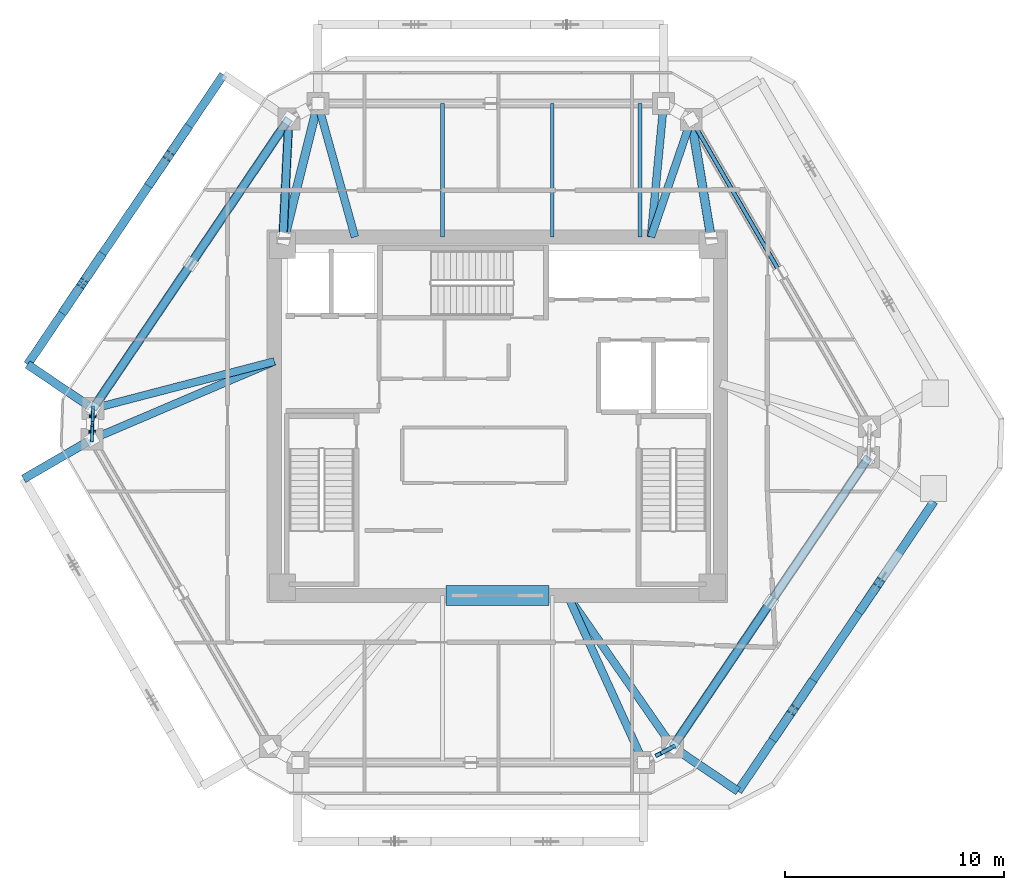
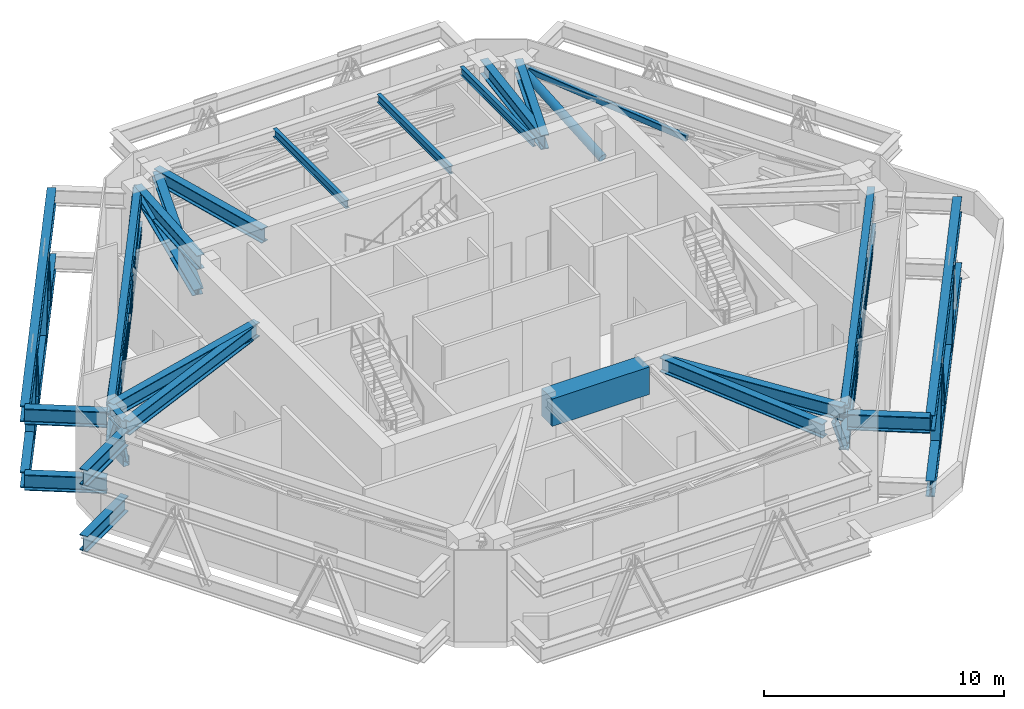
# One storey, part 2 of 10: 24 beams, 22 members.
"""IFC4 building model written with IfcOpenShell, lengths in metres."""

import ifcopenshell
import ifcopenshell.guid

model = None  # the IFC model being written
_history = None  # IfcOwnerHistory: only IFC2X3 demands one
_inside = {}  # id of a spatial element -> (the spatial element, [elements in it])
_under = {}  # id of a project, library or spatial element -> (it, [spatial elements below it])
_declared = {}  # id of a project -> (the project, [libraries it declares])
_typed = {}  # id of a type object -> (the type object, [elements of that type])
_made_of = {}  # id of a material, layer set ... -> (it, [elements and type objects made of it])


def new_model(schema):
    """Start an empty IFC model of exactly this schema.

    Asked for "IFC4X3", IfcOpenShell would pick the latest addendum, in which some entities
    have other attributes; the version numbers below select the first issue.
    IFC2X3 requires an IfcOwnerHistory on every rooted entity: one is made here for all.
    """
    global model, _history
    if schema == "IFC4X3":
        model = ifcopenshell.file(schema_version=(4, 3, 0, 0))
    else:
        model = ifcopenshell.file(schema=schema)
    _inside.clear()
    _under.clear()
    _declared.clear()
    _typed.clear()
    _made_of.clear()
    _history = None
    if model.schema == "IFC2X3":
        org = make("IfcOrganization", Name="unknown")
        user = make(
            "IfcPersonAndOrganization",
            ThePerson=make("IfcPerson", FamilyName="unknown"),
            TheOrganization=org,
        )
        app = make(
            "IfcApplication",
            ApplicationDeveloper=org,
            Version="unknown",
            ApplicationFullName="unknown",
            ApplicationIdentifier="unknown",
        )
        _history = make(
            "IfcOwnerHistory",
            OwningUser=user,
            OwningApplication=app,
            ChangeAction="ADDED",
            CreationDate=0,
        )
    return model


def make(cls, **values):
    """One entity of the class cls with the attributes given. An attribute that is None is left unset."""
    return model.create_entity(
        cls, **{name: value for name, value in values.items() if value is not None}
    )


def rooted(cls, **values):
    """An entity with a GlobalId (a new one), such as an element, a storey or a relation."""
    return make(cls, GlobalId=ifcopenshell.guid.new(), OwnerHistory=_history, **values)


def si_unit(unit_type, name, prefix=None):
    """IfcSIUnit, for example si_unit("LENGTHUNIT", "METRE", prefix="MILLI")."""
    return make("IfcSIUnit", UnitType=unit_type, Prefix=prefix, Name=name)


def assignment(units):
    """IfcUnitAssignment: the units of a project."""
    return None if units is None else make("IfcUnitAssignment", Units=units)


def point(xyz):
    """IfcCartesianPoint."""
    return None if xyz is None else make("IfcCartesianPoint", Coordinates=xyz)


def direction(xyz):
    """IfcDirection."""
    return None if xyz is None else make("IfcDirection", DirectionRatios=xyz)


def frame(location, z_axis=None, x_axis=None):
    """IfcAxis2Placement3D, a coordinate frame: its origin and axes. An axis left out is left unset."""
    return make(
        "IfcAxis2Placement3D",
        Location=point(location),
        Axis=direction(z_axis),
        RefDirection=direction(x_axis),
    )


def frame_2d(location, x_axis=None):
    """IfcAxis2Placement2D, a coordinate frame in the plane: its origin and x axis."""
    return make(
        "IfcAxis2Placement2D", Location=point(location), RefDirection=direction(x_axis)
    )


def origin():
    """The frame at (0, 0, 0) with its axes left unset."""
    return frame((0.0, 0.0, 0.0))


def origin_2d():
    """The frame at (0, 0) in the plane with its x axis left unset."""
    return frame_2d((0.0, 0.0))


def place(relative_to, where):
    """IfcLocalPlacement: puts the frame where relative to a parent placement (None: the world)."""
    return make(
        "IfcLocalPlacement", PlacementRelTo=relative_to, RelativePlacement=where
    )


def context(
    kind, dimensions, precision=None, world=None, true_north=None, identifier=None
):
    """IfcGeometricRepresentationContext, for example the 3D "Model" context."""
    return make(
        "IfcGeometricRepresentationContext",
        ContextIdentifier=identifier,
        ContextType=kind,
        CoordinateSpaceDimension=dimensions,
        Precision=precision,
        WorldCoordinateSystem=world,
        TrueNorth=true_north,
    )


def subcontext(parent, identifier, kind, view, scale=None):
    """IfcGeometricRepresentationSubContext, for example "Body" below "Model"."""
    return make(
        "IfcGeometricRepresentationSubContext",
        ContextIdentifier=identifier,
        ContextType=kind,
        ParentContext=parent,
        TargetScale=scale,
        TargetView=view,
    )


def project(units=None, contexts=None):
    """IfcProject with its units and contexts."""
    return rooted(
        "IfcProject",
        Name="project",
        RepresentationContexts=contexts,
        UnitsInContext=assignment(units),
    )


def spatial(cls, under=None, at=None, **own):
    """A site, building, storey or space (cls), placed at a placement, below another one or the project."""
    s = rooted(cls, ObjectPlacement=at, **own)
    if under is not None:
        _under.setdefault(under.id(), (under, []))[1].append(s)
    return s


def profile(cls, at=None, kind="AREA", **sizes):
    """A parametric profile (cls). Its sizes go by their IFC names, for example OverallWidth=200.0."""
    return make(cls, ProfileType=kind, Position=at, **sizes)


def rectangle(**sizes):
    """IfcRectangleProfileDef."""
    return profile("IfcRectangleProfileDef", **sizes)


def hollow_rectangle(**sizes):
    """IfcRectangleHollowProfileDef."""
    return profile("IfcRectangleHollowProfileDef", **sizes)


def hollow_circle(**sizes):
    """IfcCircleHollowProfileDef."""
    return profile("IfcCircleHollowProfileDef", **sizes)


def i_section(**sizes):
    """IfcIShapeProfileDef."""
    return profile("IfcIShapeProfileDef", **sizes)


def extrude(swept, where, along, depth):
    """IfcExtrudedAreaSolid: the profile swept, set in the frame where, extruded along a direction by depth."""
    return make(
        "IfcExtrudedAreaSolid",
        SweptArea=swept,
        Position=where,
        ExtrudedDirection=direction(along),
        Depth=depth,
    )


def shape(context_of_items, identifier, shape_type, items):
    """IfcShapeRepresentation: the items that make up one representation, for example the "Body"."""
    return make(
        "IfcShapeRepresentation",
        ContextOfItems=context_of_items,
        RepresentationIdentifier=identifier,
        RepresentationType=shape_type,
        Items=items,
    )


def source(mapping_origin, context_of_items, identifier, shape_type, items):
    """IfcRepresentationMap: a shape defined once, which mapped items show again and again."""
    return make(
        "IfcRepresentationMap",
        MappingOrigin=mapping_origin,
        MappedRepresentation=shape(context_of_items, identifier, shape_type, items),
    )


def transform(
    local_origin,
    x_axis=None,
    y_axis=None,
    z_axis=None,
    scale=None,
    scale2=None,
    scale3=None,
    uniform=True,
):
    """IfcCartesianTransformationOperator3D, or its non-uniform kind. x_axis, y_axis, z_axis: its Axis1, 2, 3."""
    if uniform:
        return make(
            "IfcCartesianTransformationOperator3D",
            Axis1=direction(x_axis),
            Axis2=direction(y_axis),
            LocalOrigin=point(local_origin),
            Scale=scale,
            Axis3=direction(z_axis),
        )
    return make(
        "IfcCartesianTransformationOperator3DnonUniform",
        Axis1=direction(x_axis),
        Axis2=direction(y_axis),
        LocalOrigin=point(local_origin),
        Scale=scale,
        Axis3=direction(z_axis),
        Scale2=scale2,
        Scale3=scale3,
    )


def mapped(mapping_source, mapping_target):
    """IfcMappedItem: shows the shape of a source again, moved by a transform."""
    return make(
        "IfcMappedItem", MappingSource=mapping_source, MappingTarget=mapping_target
    )


def material(Name=None, Category=None):
    """IfcMaterial."""
    return make("IfcMaterial", Name=Name, Category=Category)


def material_profile(
    of_material, cross_section, Name=None, Category=None, Priority=None
):
    """IfcMaterialProfile: a cross section and its material."""
    return make(
        "IfcMaterialProfile",
        Name=Name,
        Material=of_material,
        Profile=cross_section,
        Priority=Priority,
        Category=Category,
    )


def profile_set(profiles, Name=None, composite=None):
    """IfcMaterialProfileSet."""
    return make(
        "IfcMaterialProfileSet",
        Name=Name,
        MaterialProfiles=profiles,
        CompositeProfile=composite,
    )


def made_of(thing, what):
    """Note that an element or type object is made of a material, layer set ...; save() writes the relation."""
    if what is not None:
        _made_of.setdefault(what.id(), (what, []))[1].append(thing)
    return thing


def type_object(cls, material=None, **own):
    """A type object (cls), such as IfcWallType, which elements share."""
    return made_of(rooted(cls, **own), material)


def type_shapes(of_type, sources):
    """Give a type object the sources (RepresentationMaps) that its elements show as mapped items."""
    of_type.RepresentationMaps = sources


def element(
    cls,
    number,
    at=None,
    inside=None,
    cuts=None,
    type_object=None,
    material=None,
    context=None,
    identifier="Body",
    shape_type=None,
    held_by="IfcProductDefinitionShape",
    body=None,
    shapes=None,
    **own,
):
    """One element of the class cls, such as IfcWall. Its Tag is "e" and its number.

    at: its placement. inside: the storey or other place that contains it. cuts: it is an
    opening in that element (IfcRelVoidsElement). A single representation is given by context,
    identifier, shape_type and body (its items); several are given by shapes. held_by: the class
    of the entity that holds the representations. save() writes the other relations.
    """
    e = rooted(cls, Tag="e%d" % number, ObjectPlacement=at, **own)
    if body is not None:
        shapes = [shape(context, identifier, shape_type, body)]
    if shapes is not None:
        e.Representation = make(held_by, Representations=shapes)
    if inside is not None:
        _inside.setdefault(inside.id(), (inside, []))[1].append(e)
    if cuts is not None:
        rooted(
            "IfcRelVoidsElement", RelatingBuildingElement=cuts, RelatedOpeningElement=e
        )
    if type_object is not None:
        _typed.setdefault(type_object.id(), (type_object, []))[1].append(e)
    return made_of(e, material)


def aggregate(whole, parts):
    """IfcRelAggregates: a whole, such as a stair, and the parts it consists of."""
    return rooted("IfcRelAggregates", RelatingObject=whole, RelatedObjects=parts)


def save(model, path):
    """Write the relations noted so far, then the file.

    IfcRelAggregates (storeys below a building ...), IfcRelContainedInSpatialStructure (elements
    in a storey), IfcRelDefinesByType, IfcRelAssociatesMaterial and IfcRelDeclares: one each for
    every whole, place, type object, material and project.
    """
    for whole, parts in _under.values():
        aggregate(whole, parts)
    for where, things in _inside.values():
        rooted(
            "IfcRelContainedInSpatialStructure",
            RelatedElements=things,
            RelatingStructure=where,
        )
    for kind, things in _typed.values():
        rooted("IfcRelDefinesByType", RelatedObjects=things, RelatingType=kind)
    for what, things in _made_of.values():
        rooted("IfcRelAssociatesMaterial", RelatedObjects=things, RelatingMaterial=what)
    for by, libraries in _declared.values():
        rooted("IfcRelDeclares", RelatingContext=by, RelatedDefinitions=libraries)
    model.write(path)


model = new_model("IFC4")

# Units and contexts
model_context = context("Model", 3, precision=1e-05, world=origin(), true_north=direction((0.0, 1.0)))
body_context = subcontext(model_context, "Body", "Model", "MODEL_VIEW")
ifc_project = project(units=[si_unit("LENGTHUNIT", "METRE"), si_unit("AREAUNIT", "SQUARE_METRE"), si_unit("VOLUMEUNIT", "CUBIC_METRE"), si_unit("PLANEANGLEUNIT", "RADIAN"), si_unit("MASSUNIT", "GRAM", prefix="KILO")], contexts=[model_context])

# Site, building, storey
site_placement = place(None, origin())
site = spatial("IfcSite", under=ifc_project, at=site_placement, CompositionType="ELEMENT")
building_placement = place(site_placement, origin())
building = spatial("IfcBuilding", under=site, at=building_placement, Name="Durnholm Broadcast Tower", CompositionType="ELEMENT")
storey_placement = place(building_placement, frame((0.0, 0.0, 213.39990234375)))
storey = spatial("IfcBuildingStorey", under=building, at=storey_placement, Name="L59", CompositionType="ELEMENT", Elevation=213.39990234375)

# Beams
ifc_material_1 = material(Name="Concrete C70/85", Category="concrete")
ifc_material_profile_1 = material_profile(ifc_material_1, rectangle(XDim=0.89990234375, YDim=1.39990234375, at=origin_2d()), Name="RC900X1400")
ifc_profile_set_1 = profile_set([ifc_material_profile_1], Name="Concrete C70/85")
beam_type_1 = type_object("IfcBeamType", Name="BM-CB-RC1400", PredefinedType="LINTEL", material=ifc_profile_set_1)
shared_shape_1 = source(origin(), body_context, "Body", "SweptSolid", [
    extrude(rectangle(XDim=0.89990234375, YDim=1.39990234375, at=origin_2d()), origin(), (0.0, 0.0, 1.0), 4.7001953125),
])
type_shapes(beam_type_1, [shared_shape_1])
beam_1_placement = place(storey_placement, frame((-2.35009765625, -8.175048828125, 3.955078125), z_axis=(1.0, 0.0, 0.0), x_axis=(0.0, 1.0, 0.0)))
element("IfcBeam", 1, at=beam_1_placement, inside=storey, type_object=beam_type_1, Name="L59 south core coupling lintel beam CB-S", PredefinedType="LINTEL", context=body_context, shape_type="MappedRepresentation", body=[
    mapped(shared_shape_1, transform((0.0, 0.0, 0.0), x_axis=(1.0, 0.0, 0.0), y_axis=(0.0, 1.0, 0.0), z_axis=(0.0, 0.0, 1.0), scale=1.0)),
])
ifc_material_2 = material(Name="Steel ASTM A992 Grade 50", Category="steel")
ifc_material_profile_2 = material_profile(ifc_material_2, i_section(OverallWidth=0.385009765625, OverallDepth=0.802978515625, WebThickness=0.023681640625, FlangeThickness=0.0419921875, FilletRadius=0.032958984375, at=origin_2d()), Name="W30X261")
ifc_profile_set_2 = profile_set([ifc_material_profile_2], Name="Steel ASTM A992 Grade 50")
beam_type_2 = type_object("IfcBeamType", Name="BM-EXO-TIE", PredefinedType="USERDEFINED", material=ifc_profile_set_2)
shared_shape_2 = source(origin(), body_context, "Body", "SweptSolid", [
    extrude(i_section(OverallWidth=0.385009765625, OverallDepth=0.802978515625, WebThickness=0.023681640625, FlangeThickness=0.0419921875, FilletRadius=0.032958984375, at=origin_2d()), origin(), (0.0, 0.0, 1.0), 3.4560546875),
])
for number, where, z_axis, x_axis, name in (
    (2, (8.110107421875, -15.161865234375, 3.90869140625), (0.828468499792, -0.560035663911, 0.0), (0.560035663911, 0.828468499792, 0.0), "L59 exoskeleton stand-off tie bracket F2.1"),
    (3, (-18.565673828125, 0.426513671875, 0.550048828125), (-0.828413564093, 0.56011692246, 0.0), (-0.56011692246, -0.828413564093, 0.0), "L59 zone-base exoskeleton stand-off tie bracket F5.2"),
    (4, (-18.565673828125, 0.426513671875, 3.90869140625), (-0.828413564093, 0.56011692246, 0.0), (-0.56011692246, -0.828413564093, 0.0), "L59 exoskeleton stand-off tie bracket F5.2"),
    (5, (-18.618896484375, -1.1201171875, 0.550048828125), (-0.864876013532, -0.501985538852, 0.0), (0.501985538852, -0.864876013532, 0.0), "L59 zone-base exoskeleton stand-off tie bracket F6.1"),
    (6, (-18.618896484375, -1.1201171875, 3.90869140625), (-0.864876013532, -0.501985538852, 0.0), (0.501985538852, -0.864876013532, 0.0), "L59 exoskeleton stand-off tie bracket F6.1"),
):
    element("IfcBeam", number, at=place(storey_placement, frame(where, z_axis=z_axis, x_axis=x_axis)), inside=storey, type_object=beam_type_2, Name=name, ObjectType="GIRDER", PredefinedType="USERDEFINED", context=body_context, shape_type="MappedRepresentation", body=[
        mapped(shared_shape_2, transform((0.0, 0.0, 0.0), x_axis=(1.0, 0.0, 0.0), y_axis=(0.0, 1.0, 0.0), z_axis=(0.0, 0.0, 1.0), scale=1.0)),
    ])
ifc_material_profile_3 = material_profile(ifc_material_2, i_section(OverallWidth=0.3251953125, OverallDepth=0.6162109375, WebThickness=0.013916015625, FlangeThickness=0.021484375, FilletRadius=0.02783203125, at=origin_2d()), Name="W24X117")
ifc_profile_set_3 = profile_set([ifc_material_profile_3], Name="Steel ASTM A992 Grade 50")
beam_type_3 = type_object("IfcBeamType", Name="STL-SP-W24X117", PredefinedType="SPANDREL", material=ifc_profile_set_3)
shared_shape_3 = source(origin(), body_context, "Body", "SweptSolid", [
    extrude(i_section(OverallWidth=0.3251953125, OverallDepth=0.6162109375, WebThickness=0.013916015625, FlangeThickness=0.021484375, FilletRadius=0.02783203125, at=origin_2d()), origin(), (0.0, 0.0, 1.0), 1.39453125),
])
beam_2_placement = place(storey_placement, frame((-18.494384765625, -1.0478515625, 4.3369140625), z_axis=(0.034486393061, 0.999405167434, 0.0), x_axis=(-0.999405167434, 0.034486393061, 0.0)))
element("IfcBeam", 7, at=beam_2_placement, inside=storey, type_object=beam_type_3, Name="L59 perimeter spandrel girder 02", PredefinedType="SPANDREL", context=body_context, shape_type="MappedRepresentation", body=[
    mapped(shared_shape_3, transform((0.0, 0.0, 0.0), x_axis=(1.0, 0.0, 0.0), y_axis=(0.0, 1.0, 0.0), z_axis=(0.0, 0.0, 1.0), scale=1.0)),
])
shared_shape_4 = source(origin(), body_context, "Body", "SweptSolid", [
    extrude(i_section(OverallWidth=0.3251953125, OverallDepth=0.6162109375, WebThickness=0.013916015625, FlangeThickness=0.021484375, FilletRadius=0.02783203125, at=origin_2d()), origin(), (0.0, 0.0, 1.0), 15.947265625),
])
type_shapes(beam_type_3, [shared_shape_3, shared_shape_4])
for number, where, z_axis, x_axis, name in (
    (8, (-18.4462890625, 0.345947265625, 4.3369140625), (0.560062212489, 0.828450552623, 0.0), (-0.828450552623, 0.560062212489, 0.0), "L59 perimeter spandrel girder 03"),
    (9, (16.92236328125, -1.869873046875, 4.3369140625), (-0.560062212489, -0.828450552623, 0.0), (0.828450552623, -0.560062212489, 0.0), "L59 perimeter spandrel girder 09"),
):
    element("IfcBeam", number, at=place(storey_placement, frame(where, z_axis=z_axis, x_axis=x_axis)), inside=storey, type_object=beam_type_3, Name=name, PredefinedType="SPANDREL", context=body_context, shape_type="MappedRepresentation", body=[
        mapped(shared_shape_4, transform((0.0, 0.0, 0.0), x_axis=(1.0, 0.0, 0.0), y_axis=(0.0, 1.0, 0.0), z_axis=(0.0, 0.0, 1.0), scale=1.0)),
    ])
ifc_material_profile_4 = material_profile(ifc_material_2, i_section(OverallWidth=0.3564453125, OverallDepth=0.713623046875, WebThickness=0.01904296875, FlangeThickness=0.033935546875, FilletRadius=0.030517578125, at=origin_2d()), Name="W27X194")
ifc_profile_set_4 = profile_set([ifc_material_profile_4], Name="Steel ASTM A992 Grade 50")
beam_type_4 = type_object("IfcBeamType", Name="STL-GR-W27X194", PredefinedType="USERDEFINED", material=ifc_profile_set_4)
shared_shape_5 = source(origin(), body_context, "Body", "SweptSolid", [
    extrude(i_section(OverallWidth=0.3564453125, OverallDepth=0.713623046875, WebThickness=0.01904296875, FlangeThickness=0.033935546875, FilletRadius=0.030517578125, at=origin_2d()), origin(), (0.0, 0.0, 1.0), 9.044189453125),
])
beam_3_placement = place(storey_placement, frame((-10.175048828125, 2.5, 4.288330078125), z_axis=(-0.919847268829, -0.392276690651, 0.0), x_axis=(0.392276690651, -0.919847268829, 0.0)))
element("IfcBeam", 10, at=beam_3_placement, inside=storey, type_object=beam_type_4, Name="L59 radial primary floor girder 02", ObjectType="GIRDER", PredefinedType="USERDEFINED", context=body_context, shape_type="MappedRepresentation", body=[
    mapped(shared_shape_5, transform((0.0, 0.0, 0.0), x_axis=(1.0, 0.0, 0.0), y_axis=(0.0, 1.0, 0.0), z_axis=(0.0, 0.0, 1.0), scale=1.0)),
])
shared_shape_6 = source(origin(), body_context, "Body", "SweptSolid", [
    extrude(i_section(OverallWidth=0.3564453125, OverallDepth=0.713623046875, WebThickness=0.01904296875, FlangeThickness=0.033935546875, FilletRadius=0.030517578125, at=origin_2d()), origin(), (0.0, 0.0, 1.0), 8.547119140625),
])
beam_4_placement = place(storey_placement, frame((-10.175048828125, 2.5, 4.288330078125), z_axis=(-0.967721839871, -0.252020714696, 0.0), x_axis=(0.252020714696, -0.967721839871, 0.0)))
element("IfcBeam", 11, at=beam_4_placement, inside=storey, type_object=beam_type_4, Name="L59 radial primary floor girder 03", ObjectType="GIRDER", PredefinedType="USERDEFINED", context=body_context, shape_type="MappedRepresentation", body=[
    mapped(shared_shape_6, transform((0.0, 0.0, 0.0), x_axis=(1.0, 0.0, 0.0), y_axis=(0.0, 1.0, 0.0), z_axis=(0.0, 0.0, 1.0), scale=1.0)),
])
shared_shape_7 = source(origin(), body_context, "Body", "SweptSolid", [
    extrude(i_section(OverallWidth=0.3564453125, OverallDepth=0.713623046875, WebThickness=0.01904296875, FlangeThickness=0.033935546875, FilletRadius=0.030517578125, at=origin_2d()), origin(), (0.0, 0.0, 1.0), 5.764404296875),
])
beam_5_placement = place(storey_placement, frame((-9.800048828125, 7.800048828125, 4.288330078125), z_axis=(0.049468662109, 0.99877567625, 0.0), x_axis=(-0.99877567625, 0.049468662109, 0.0)))
element("IfcBeam", 12, at=beam_5_placement, inside=storey, type_object=beam_type_4, Name="L59 radial primary floor girder 04", ObjectType="GIRDER", PredefinedType="USERDEFINED", context=body_context, shape_type="MappedRepresentation", body=[
    mapped(shared_shape_7, transform((0.0, 0.0, 0.0), x_axis=(1.0, 0.0, 0.0), y_axis=(0.0, 1.0, 0.0), z_axis=(0.0, 0.0, 1.0), scale=1.0)),
])
shared_shape_8 = source(origin(), body_context, "Body", "SweptSolid", [
    extrude(i_section(OverallWidth=0.3564453125, OverallDepth=0.713623046875, WebThickness=0.01904296875, FlangeThickness=0.033935546875, FilletRadius=0.030517578125, at=origin_2d()), origin(), (0.0, 0.0, 1.0), 6.316650390625),
])
beam_6_placement = place(storey_placement, frame((-6.5, 8.175048828125, 4.288330078125), z_axis=(-0.267193314039, 0.963642948883, 0.0), x_axis=(-0.963642948883, -0.267193314039, 0.0)))
element("IfcBeam", 13, at=beam_6_placement, inside=storey, type_object=beam_type_4, Name="L59 radial primary floor girder 05", ObjectType="GIRDER", PredefinedType="USERDEFINED", context=body_context, shape_type="MappedRepresentation", body=[
    mapped(shared_shape_8, transform((0.0, 0.0, 0.0), x_axis=(1.0, 0.0, 0.0), y_axis=(0.0, 1.0, 0.0), z_axis=(0.0, 0.0, 1.0), scale=1.0)),
])
shared_shape_9 = source(origin(), body_context, "Body", "SweptSolid", [
    extrude(i_section(OverallWidth=0.3564453125, OverallDepth=0.713623046875, WebThickness=0.01904296875, FlangeThickness=0.033935546875, FilletRadius=0.030517578125, at=origin_2d()), origin(), (0.0, 0.0, 1.0), 6.114501953125),
])
beam_7_placement = place(storey_placement, frame((7.0, 8.175048828125, 4.288330078125), z_axis=(0.09479024995, 0.995497266955, 0.0), x_axis=(-0.995497266955, 0.09479024995, 0.0)))
element("IfcBeam", 14, at=beam_7_placement, inside=storey, type_object=beam_type_4, Name="L59 radial primary floor girder 06", ObjectType="GIRDER", PredefinedType="USERDEFINED", context=body_context, shape_type="MappedRepresentation", body=[
    mapped(shared_shape_9, transform((0.0, 0.0, 0.0), x_axis=(1.0, 0.0, 0.0), y_axis=(0.0, 1.0, 0.0), z_axis=(0.0, 0.0, 1.0), scale=1.0)),
])
shared_shape_10 = source(origin(), body_context, "Body", "SweptSolid", [
    extrude(i_section(OverallWidth=0.3564453125, OverallDepth=0.713623046875, WebThickness=0.01904296875, FlangeThickness=0.033935546875, FilletRadius=0.030517578125, at=origin_2d()), origin(), (0.0, 0.0, 1.0), 5.668701171875),
])
beam_8_placement = place(storey_placement, frame((7.0, 8.175048828125, 4.288330078125), z_axis=(0.324137129939, 0.94601010618, 0.0), x_axis=(-0.94601010618, 0.324137129939, 0.0)))
element("IfcBeam", 15, at=beam_8_placement, inside=storey, type_object=beam_type_4, Name="L59 radial primary floor girder 07", ObjectType="GIRDER", PredefinedType="USERDEFINED", context=body_context, shape_type="MappedRepresentation", body=[
    mapped(shared_shape_10, transform((0.0, 0.0, 0.0), x_axis=(1.0, 0.0, 0.0), y_axis=(0.0, 1.0, 0.0), z_axis=(0.0, 0.0, 1.0), scale=1.0)),
])
shared_shape_11 = source(origin(), body_context, "Body", "SweptSolid", [
    extrude(i_section(OverallWidth=0.3564453125, OverallDepth=0.713623046875, WebThickness=0.01904296875, FlangeThickness=0.033935546875, FilletRadius=0.030517578125, at=origin_2d()), origin(), (0.0, 0.0, 1.0), 8.4052734375),
])
beam_9_placement = place(storey_placement, frame((3.199951171875, -8.175048828125, 4.288330078125), z_axis=(0.569995118026, -0.821648078818, 0.0), x_axis=(0.821648078818, 0.569995118026, 0.0)))
element("IfcBeam", 16, at=beam_9_placement, inside=storey, type_object=beam_type_4, Name="L59 radial primary floor girder 10", ObjectType="GIRDER", PredefinedType="USERDEFINED", context=body_context, shape_type="MappedRepresentation", body=[
    mapped(shared_shape_11, transform((0.0, 0.0, 0.0), x_axis=(1.0, 0.0, 0.0), y_axis=(0.0, 1.0, 0.0), z_axis=(0.0, 0.0, 1.0), scale=1.0)),
])
shared_shape_12 = source(origin(), body_context, "Body", "SweptSolid", [
    extrude(i_section(OverallWidth=0.3564453125, OverallDepth=0.713623046875, WebThickness=0.01904296875, FlangeThickness=0.033935546875, FilletRadius=0.030517578125, at=origin_2d()), origin(), (0.0, 0.0, 1.0), 8.362060546875),
])
type_shapes(beam_type_4, [shared_shape_5, shared_shape_6, shared_shape_7, shared_shape_8, shared_shape_9, shared_shape_10, shared_shape_11, shared_shape_12])
beam_10_placement = place(storey_placement, frame((3.199951171875, -8.175048828125, 4.288330078125), z_axis=(0.414238443154, -0.910168397723, 0.0), x_axis=(0.910168397723, 0.414238443154, 0.0)))
element("IfcBeam", 17, at=beam_10_placement, inside=storey, type_object=beam_type_4, Name="L59 radial primary floor girder 11", ObjectType="GIRDER", PredefinedType="USERDEFINED", context=body_context, shape_type="MappedRepresentation", body=[
    mapped(shared_shape_12, transform((0.0, 0.0, 0.0), x_axis=(1.0, 0.0, 0.0), y_axis=(0.0, 1.0, 0.0), z_axis=(0.0, 0.0, 1.0), scale=1.0)),
])
ifc_material_profile_5 = material_profile(ifc_material_2, i_section(OverallWidth=0.177734375, OverallDepth=0.40673828125, WebThickness=0.0078125, FlangeThickness=0.0126953125, FilletRadius=0.01904296875, at=origin_2d()), Name="W16X40")
ifc_profile_set_5 = profile_set([ifc_material_profile_5], Name="Steel ASTM A992 Grade 50")
beam_type_5 = type_object("IfcBeamType", Name="STL-BJ-W16X40", PredefinedType="JOIST", material=ifc_profile_set_5)
shared_shape_13 = source(origin(), body_context, "Body", "SweptSolid", [
    extrude(i_section(OverallWidth=0.177734375, OverallDepth=0.40673828125, WebThickness=0.0078125, FlangeThickness=0.0126953125, FilletRadius=0.01904296875, at=origin_2d()), origin(), (0.0, 0.0, 1.0), 6.0869140625),
])
type_shapes(beam_type_5, [shared_shape_13])
for number, where, z_axis, x_axis, name in (
    (18, (-2.5, 8.175048828125, 4.44189453125), (0.0, 1.0, 0.0), (-1.0, 0.0, 0.0), "L59 secondary floor joist 5.2"),
    (19, (2.5, 8.175048828125, 4.44189453125), (0.0, 1.0, 0.0), (-1.0, 0.0, 0.0), "L59 secondary floor joist 6.2"),
    (20, (6.5, 8.175048828125, 4.44189453125), (0.0, 1.0, 0.0), (-1.0, 0.0, 0.0), "L59 secondary floor joist 7.2"),
):
    element("IfcBeam", number, at=place(storey_placement, frame(where, z_axis=z_axis, x_axis=x_axis)), inside=storey, type_object=beam_type_5, Name=name, PredefinedType="JOIST", context=body_context, shape_type="MappedRepresentation", body=[
        mapped(shared_shape_13, transform((0.0, 0.0, 0.0), x_axis=(1.0, 0.0, 0.0), y_axis=(0.0, 1.0, 0.0), z_axis=(0.0, 0.0, 1.0), scale=1.0)),
    ])

# Members
ifc_material_3 = material(Name="Steel ASTM A500 Grade C", Category="steel")
ifc_material_profile_6 = material_profile(ifc_material_3, hollow_rectangle(XDim=0.3046875, YDim=0.508056640625, WallThickness=0.014892578125, InnerFilletRadius=0.022216796875, OuterFilletRadius=0.037109375, at=origin_2d()), Name="HSS20X12X5/8")
ifc_profile_set_6 = profile_set([ifc_material_profile_6], Name="Steel ASTM A500 Grade C")
member_type_1 = type_object("IfcMemberType", Name="STL-TC-HSS20X12", PredefinedType="CHORD", material=ifc_profile_set_6)
shared_shape_14 = source(origin(), body_context, "Body", "SweptSolid", [
    extrude(hollow_rectangle(XDim=0.3046875, YDim=0.508056640625, WallThickness=0.014892578125, InnerFilletRadius=0.022216796875, OuterFilletRadius=0.037109375, at=origin_2d()), origin(), (0.0, 0.0, 1.0), 1.39453125),
])
type_shapes(member_type_1, [shared_shape_14])
member_1_placement = place(storey_placement, frame((-18.494384765625, -1.0478515625, 2.550048828125), z_axis=(0.034486393061, 0.999405167434, 0.0), x_axis=(-0.999405167434, 0.034486393061, 0.0)))
element("IfcMember", 21, at=member_1_placement, inside=storey, type_object=member_type_1, Name="L59 perimeter belt-truss bottom chord 02", PredefinedType="CHORD", context=body_context, shape_type="MappedRepresentation", body=[
    mapped(shared_shape_14, transform((0.0, 0.0, 0.0), x_axis=(1.0, 0.0, 0.0), y_axis=(0.0, 1.0, 0.0), z_axis=(0.0, 0.0, 1.0), scale=1.0)),
])
ifc_material_profile_7 = material_profile(ifc_material_3, hollow_rectangle(XDim=0.15234375, YDim=0.25390625, WallThickness=0.0087890625, InnerFilletRadius=0.013427734375, OuterFilletRadius=0.022216796875, at=origin_2d()), Name="HSS10X6X3/8")
ifc_profile_set_7 = profile_set([ifc_material_profile_7], Name="Steel ASTM A500 Grade C")
member_type_2 = type_object("IfcMemberType", Name="STL-TB-HSS10X6", PredefinedType="BRACE", material=ifc_profile_set_7)
shared_shape_15 = source(origin(), body_context, "Body", "SweptSolid", [
    extrude(hollow_rectangle(XDim=0.15234375, YDim=0.25390625, WallThickness=0.0087890625, InnerFilletRadius=0.013427734375, OuterFilletRadius=0.022216796875, at=origin_2d()), origin(), (0.0, 0.0, 1.0), 1.89306640625),
])
type_shapes(member_type_2, [shared_shape_15])
for number, where, z_axis, x_axis, name in (
    (22, (-18.494384765625, -1.0478515625, 2.550048828125), (0.012767573876, 0.368067230721, 0.929711515862), (-0.999398908284, 0.034667306209, 0.0), "L59 belt-truss chevron brace 02.1"),
    (23, (-18.4462890625, 0.345947265625, 2.550048828125), (-0.012638029194, -0.3681793199, 0.929668902683), (0.999411391737, -0.034305539891, 0.0), "L59 belt-truss chevron brace 02.2"),
):
    element("IfcMember", number, at=place(storey_placement, frame(where, z_axis=z_axis, x_axis=x_axis)), inside=storey, type_object=member_type_2, Name=name, PredefinedType="BRACE", context=body_context, shape_type="MappedRepresentation", body=[
        mapped(shared_shape_15, transform((0.0, 0.0, 0.0), x_axis=(1.0, 0.0, 0.0), y_axis=(0.0, 1.0, 0.0), z_axis=(0.0, 0.0, 1.0), scale=1.0)),
    ])
ifc_material_profile_8 = material_profile(ifc_material_2, i_section(OverallWidth=0.4013671875, OverallDepth=0.3994140625, WebThickness=0.02490234375, FlangeThickness=0.03955078125, FilletRadius=0.030517578125, at=origin_2d()), Name="W14X211")
ifc_profile_set_8 = profile_set([ifc_material_profile_8], Name="Steel ASTM A992 Grade 50")
member_type_3 = type_object("IfcMemberType", Name="STL-TC-W14X211", PredefinedType="CHORD", material=ifc_profile_set_8)
shared_shape_16 = source(origin(), body_context, "Body", "SweptSolid", [
    extrude(i_section(OverallWidth=0.4013671875, OverallDepth=0.3994140625, WebThickness=0.02490234375, FlangeThickness=0.03955078125, FilletRadius=0.030517578125, at=origin_2d()), origin(), (0.0, 0.0, 1.0), 15.947265625),
])
type_shapes(member_type_3, [shared_shape_16])
for number, where, z_axis, x_axis, name in (
    (24, (-18.4462890625, 0.345947265625, 2.550048828125), (0.560062212489, 0.828450552623, 0.0), (-0.828450552623, 0.560062212489, 0.0), "L59 perimeter belt-truss bottom chord 03"),
    (25, (16.92236328125, -1.869873046875, 2.550048828125), (-0.560062212489, -0.828450552623, 0.0), (0.828450552623, -0.560062212489, 0.0), "L59 perimeter belt-truss bottom chord 09"),
):
    element("IfcMember", number, at=place(storey_placement, frame(where, z_axis=z_axis, x_axis=x_axis)), inside=storey, type_object=member_type_3, Name=name, PredefinedType="CHORD", context=body_context, shape_type="MappedRepresentation", body=[
        mapped(shared_shape_16, transform((0.0, 0.0, 0.0), x_axis=(1.0, 0.0, 0.0), y_axis=(0.0, 1.0, 0.0), z_axis=(0.0, 0.0, 1.0), scale=1.0)),
    ])
ifc_material_4 = material(Name="Steel ASTM A913 Grade 65", Category="steel")
ifc_material_profile_9 = material_profile(ifc_material_4, i_section(OverallWidth=0.412109375, OverallDepth=0.434814453125, WebThickness=0.035888671875, FlangeThickness=0.057373046875, FilletRadius=0.030517578125, at=origin_2d()), Name="W14X311")
ifc_profile_set_9 = profile_set([ifc_material_profile_9], Name="Steel ASTM A913 Grade 65")
member_type_4 = type_object("IfcMemberType", Name="STL-DG-W14X311", PredefinedType="BRACE", material=ifc_profile_set_9)
shared_shape_17 = source(origin(), body_context, "Body", "SweptSolid", [
    extrude(i_section(OverallWidth=0.412109375, OverallDepth=0.434814453125, WebThickness=0.035888671875, FlangeThickness=0.057373046875, FilletRadius=0.030517578125, at=origin_2d()), origin(), (0.0, 0.0, 1.0), 16.0439453125),
])
for number, where, z_axis, x_axis, name in (
    (26, (-18.4462890625, 0.345947265625, 2.550048828125), (0.556682149583, 0.823450724176, 0.109699084721), (-0.828450552623, 0.560062212489, 0.0), "L59 belt-truss continuous X-diagonal brace 03"),
    (27, (16.92236328125, -1.869873046875, 2.550048828125), (-0.556682149583, -0.823450724176, 0.109699084721), (0.828450552623, -0.560062212489, 0.0), "L59 belt-truss continuous X-diagonal brace 09"),
):
    element("IfcMember", number, at=place(storey_placement, frame(where, z_axis=z_axis, x_axis=x_axis)), inside=storey, type_object=member_type_4, Name=name, PredefinedType="BRACE", context=body_context, shape_type="MappedRepresentation", body=[
        mapped(shared_shape_17, transform((0.0, 0.0, 0.0), x_axis=(1.0, 0.0, 0.0), y_axis=(0.0, 1.0, 0.0), z_axis=(0.0, 0.0, 1.0), scale=1.0)),
    ])
shared_shape_18 = source(origin(), body_context, "Body", "SweptSolid", [
    extrude(i_section(OverallWidth=0.412109375, OverallDepth=0.434814453125, WebThickness=0.035888671875, FlangeThickness=0.057373046875, FilletRadius=0.030517578125, at=origin_2d()), origin(), (0.0, 0.0, 1.0), 8.02197265625),
])
type_shapes(member_type_4, [shared_shape_17, shared_shape_18])
for number, where, z_axis, x_axis, name in (
    (28, (-9.514892578125, 13.557373046875, 2.550048828125), (-0.556691721426, -0.823442374077, 0.109713189139), (0.828443449323, -0.56007271963, 0.0), "L59 belt-truss split X-diagonal segment 03.1"),
    (29, (-13.980712890625, 6.95166015625, 3.43017578125), (-0.556672577346, -0.823459074149, 0.109684979977), (0.828457655912, -0.560051705078, 0.0), "L59 belt-truss split X-diagonal segment 03.2"),
    (30, (7.990966796875, -15.081298828125, 2.550048828125), (0.556670718825, 0.823456324928, 0.109715047912), (-0.828457655912, 0.560051705078, 0.0), "L59 belt-truss split X-diagonal segment 09.1"),
):
    element("IfcMember", number, at=place(storey_placement, frame(where, z_axis=z_axis, x_axis=x_axis)), inside=storey, type_object=member_type_4, Name=name, PredefinedType="BRACE", context=body_context, shape_type="MappedRepresentation", body=[
        mapped(shared_shape_18, transform((0.0, 0.0, 0.0), x_axis=(1.0, 0.0, 0.0), y_axis=(0.0, 1.0, 0.0), z_axis=(0.0, 0.0, 1.0), scale=1.0)),
    ])
ifc_material_profile_10 = material_profile(ifc_material_3, hollow_rectangle(XDim=0.203125, YDim=0.3046875, WallThickness=0.01171875, InnerFilletRadius=0.017578125, OuterFilletRadius=0.029541015625, at=origin_2d()), Name="HSS12X8X1/2")
ifc_profile_set_10 = profile_set([ifc_material_profile_10], Name="Steel ASTM A500 Grade C")
member_type_5 = type_object("IfcMemberType", Name="STL-TB-HSS12X8", PredefinedType="BRACE", material=ifc_profile_set_10)
shared_shape_19 = source(origin(), body_context, "Body", "SweptSolid", [
    extrude(hollow_rectangle(XDim=0.203125, YDim=0.3046875, WallThickness=0.01171875, InnerFilletRadius=0.017578125, OuterFilletRadius=0.029541015625, at=origin_2d()), origin(), (0.0, 0.0, 1.0), 1.91357421875),
])
member_2_placement = place(storey_placement, frame((7.990966796875, -15.081298828125, 2.550048828125), z_axis=(-0.346757432484, -0.184095281484, 0.919710938476), x_axis=(0.468917614296, -0.883241909673, 0.0)))
element("IfcMember", 31, at=member_2_placement, inside=storey, type_object=member_type_5, Name="L59 belt-truss chevron brace 10.1", PredefinedType="BRACE", context=body_context, shape_type="MappedRepresentation", body=[
    mapped(shared_shape_19, transform((0.0, 0.0, 0.0), x_axis=(1.0, 0.0, 0.0), y_axis=(0.0, 1.0, 0.0), z_axis=(0.0, 0.0, 1.0), scale=1.0)),
])
shared_shape_20 = source(origin(), body_context, "Body", "SweptSolid", [
    extrude(hollow_rectangle(XDim=0.203125, YDim=0.3046875, WallThickness=0.01171875, InnerFilletRadius=0.017578125, OuterFilletRadius=0.029541015625, at=origin_2d()), origin(), (0.0, 0.0, 1.0), 8.14892578125),
])
type_shapes(member_type_5, [shared_shape_19, shared_shape_20])
member_3_placement = place(storey_placement, frame((12.90380859375, 6.53076171875, 3.43017578125), z_axis=(-0.499009025276, 0.859843841584, 0.107974815508), x_axis=(-0.864900369516, -0.501943573333, 0.0)))
element("IfcMember", 32, at=member_3_placement, inside=storey, type_object=member_type_5, Name="L59 belt-truss split X-diagonal segment 07.2", PredefinedType="BRACE", context=body_context, shape_type="MappedRepresentation", body=[
    mapped(shared_shape_20, transform((0.0, 0.0, 0.0), x_axis=(1.0, 0.0, 0.0), y_axis=(0.0, 1.0, 0.0), z_axis=(0.0, 0.0, 1.0), scale=1.0)),
])
ifc_material_profile_11 = material_profile(ifc_material_2, i_section(OverallWidth=0.3974609375, OverallDepth=0.38671875, WebThickness=0.02099609375, FlangeThickness=0.033203125, FilletRadius=0.030517578125, at=origin_2d()), Name="W14X176")
ifc_profile_set_11 = profile_set([ifc_material_profile_11], Name="Steel ASTM A992 Grade 50")
member_type_6 = type_object("IfcMemberType", Name="STL-OS-W14X176", PredefinedType="STRUT", material=ifc_profile_set_11)
shared_shape_21 = source(origin(), body_context, "Body", "SweptSolid", [
    extrude(i_section(OverallWidth=0.3974609375, OverallDepth=0.38671875, WebThickness=0.02099609375, FlangeThickness=0.033203125, FilletRadius=0.030517578125, at=origin_2d()), origin(), (0.0, 0.0, 1.0), 5.721923828125),
])
type_shapes(member_type_6, [shared_shape_21])
member_4_placement = place(storey_placement, frame((-9.7841796875, 8.11962890625, 2.550048828125), z_axis=(0.04706320056, 0.950352371774, 0.30759620384), x_axis=(-0.998776044327, 0.04946123005, 0.0)))
element("IfcMember", 33, at=member_4_placement, inside=storey, type_object=member_type_6, Name="L59 radial core-to-perimeter outrigger strut 04", PredefinedType="STRUT", context=body_context, shape_type="MappedRepresentation", body=[
    mapped(shared_shape_21, transform((0.0, 0.0, 0.0), x_axis=(1.0, 0.0, 0.0), y_axis=(0.0, 1.0, 0.0), z_axis=(0.0, 0.0, 1.0), scale=1.0)),
])
ifc_material_profile_12 = material_profile(ifc_material_2, i_section(OverallWidth=0.393798828125, OverallDepth=0.37548828125, WebThickness=0.017333984375, FlangeThickness=0.027587890625, FilletRadius=0.030517578125, at=origin_2d()), Name="W14X145")
ifc_profile_set_12 = profile_set([ifc_material_profile_12], Name="Steel ASTM A992 Grade 50")
member_type_7 = type_object("IfcMemberType", Name="STL-OS-W14X145", PredefinedType="STRUT", material=ifc_profile_set_12)
shared_shape_22 = source(origin(), body_context, "Body", "SweptSolid", [
    extrude(i_section(OverallWidth=0.393798828125, OverallDepth=0.37548828125, WebThickness=0.017333984375, FlangeThickness=0.027587890625, FilletRadius=0.030517578125, at=origin_2d()), origin(), (0.0, 0.0, 1.0), 6.57958984375),
])
type_shapes(member_type_7, [shared_shape_22])
member_5_placement = place(storey_placement, frame((-9.722412109375, 8.110595703125, 2.550048828125), z_axis=(0.233243639349, 0.934904030708, 0.267491790656), x_axis=(-0.970260176439, 0.242064433604, 0.0)))
element("IfcMember", 34, at=member_5_placement, inside=storey, type_object=member_type_7, Name="L59 radial core-to-perimeter outrigger strut 05", PredefinedType="STRUT", context=body_context, shape_type="MappedRepresentation", body=[
    mapped(shared_shape_22, transform((0.0, 0.0, 0.0), x_axis=(1.0, 0.0, 0.0), y_axis=(0.0, 1.0, 0.0), z_axis=(0.0, 0.0, 1.0), scale=1.0)),
])
ifc_material_profile_13 = material_profile(ifc_material_3, hollow_circle(Radius=0.203125, WallThickness=0.01171875, at=origin_2d()), Name="HSS16.000X0.500")
ifc_profile_set_13 = profile_set([ifc_material_profile_13], Name="Steel ASTM A500 Grade C")
member_type_8 = type_object("IfcMemberType", Name="STL-OS-CHS16", PredefinedType="STRUT", material=ifc_profile_set_13)
shared_shape_23 = source(origin(), body_context, "Body", "SweptSolid", [
    extrude(hollow_circle(Radius=0.203125, WallThickness=0.01171875, at=origin_2d()), origin(), (0.0, 0.0, 1.0), 5.772705078125),
])
type_shapes(member_type_8, [shared_shape_23])
member_6_placement = place(storey_placement, frame((9.7470703125, 8.115478515625, 2.550048828125), z_axis=(-0.157579980149, 0.939262957363, 0.304883005071), x_axis=(-0.986216931275, -0.165457440044, 0.0)))
element("IfcMember", 35, at=member_6_placement, inside=storey, type_object=member_type_8, Name="L59 radial core-to-perimeter outrigger strut 07", PredefinedType="STRUT", context=body_context, shape_type="MappedRepresentation", body=[
    mapped(shared_shape_23, transform((0.0, 0.0, 0.0), x_axis=(1.0, 0.0, 0.0), y_axis=(0.0, 1.0, 0.0), z_axis=(0.0, 0.0, 1.0), scale=1.0)),
])
ifc_material_profile_14 = material_profile(ifc_material_4, i_section(OverallWidth=0.40625, OverallDepth=0.416015625, WebThickness=0.02978515625, FlangeThickness=0.048095703125, FilletRadius=0.030517578125, at=origin_2d()), Name="W14X257")
ifc_profile_set_14 = profile_set([ifc_material_profile_14], Name="Steel ASTM A913 Grade 65")
member_type_9 = type_object("IfcMemberType", Name="STL-DG-W14X257", PredefinedType="BRACE", material=ifc_profile_set_14)
shared_shape_24 = source(origin(), body_context, "Body", "SweptSolid", [
    extrude(i_section(OverallWidth=0.40625, OverallDepth=0.416015625, WebThickness=0.02978515625, FlangeThickness=0.048095703125, FilletRadius=0.030517578125, at=origin_2d()), origin(), (0.0, 0.0, 1.0), 3.66162109375),
])
type_shapes(member_type_9, [shared_shape_24])
for number, where, z_axis, x_axis, name in (
    (36, (12.657470703125, -14.6064453125, 0.550048828125), (0.223031387681, 0.329979772088, 0.917262421623), (-0.828505003222, 0.559981660089, 0.0), "L59 stand-off diagrid brace F2.D1.1"),
    (37, (14.290771484375, -12.190185546875, 0.550048828125), (-0.223036294428, -0.329920354209, 0.917282601627), (0.828452496411, -0.560059337206, 0.0), "L59 stand-off diagrid brace F2.D1.2"),
    (38, (16.58740234375, -8.79345703125, 0.550048828125), (0.223031387681, 0.329979772088, 0.917262421623), (-0.828505003222, 0.559981660089, 0.0), "L59 stand-off diagrid brace F2.D2.1"),
    (39, (-14.181396484375, 13.08251953125, 0.550048828125), (-0.223031387681, -0.329979772088, 0.917262421623), (0.828505003222, -0.559981660089, 0.0), "L59 stand-off diagrid brace F5.D1.1"),
    (40, (-15.814697265625, 10.666259765625, 0.550048828125), (0.223036294428, 0.329920354209, 0.917282601627), (-0.828452496411, 0.560059337206, 0.0), "L59 stand-off diagrid brace F5.D1.2"),
    (41, (-18.111328125, 7.269287109375, 0.550048828125), (-0.223036294428, -0.329920354209, 0.917282601627), (0.828452496411, -0.560059337206, 0.0), "L59 stand-off diagrid brace F5.D2.1"),
    (42, (-19.74462890625, 4.853271484375, 0.550048828125), (0.223036294428, 0.329920354209, 0.917282601627), (-0.828452496411, 0.560059337206, 0.0), "L59 stand-off diagrid brace F5.D2.2"),
):
    element("IfcMember", number, at=place(storey_placement, frame(where, z_axis=z_axis, x_axis=x_axis)), inside=storey, type_object=member_type_9, Name=name, PredefinedType="BRACE", context=body_context, shape_type="MappedRepresentation", body=[
        mapped(shared_shape_24, transform((0.0, 0.0, 0.0), x_axis=(1.0, 0.0, 0.0), y_axis=(0.0, 1.0, 0.0), z_axis=(0.0, 0.0, 1.0), scale=1.0)),
    ])

# Beams
shared_shape_25 = source(origin(), body_context, "Body", "SweptSolid", [
    extrude(i_section(OverallWidth=0.385009765625, OverallDepth=0.802978515625, WebThickness=0.023681640625, FlangeThickness=0.0419921875, FilletRadius=0.032958984375, at=origin_2d()), origin(), (0.0, 0.0, 1.0), 15.947021484375),
])
type_shapes(beam_type_2, [shared_shape_2, shared_shape_25])
for number, where, z_axis, x_axis, name in (
    (43, (10.973388671875, -17.097412109375, 0.550048828125), (0.560069315853, 0.828445750451, 0.0), (-0.828445750451, 0.560069315853, 0.0), "L59 zone-base exoskeleton collector spandrel F2"),
    (44, (10.973388671875, -17.097412109375, 3.90869140625), (0.560069315853, 0.828445750451, 0.0), (-0.828445750451, 0.560069315853, 0.0), "L59 exoskeleton collector spandrel F2"),
    (45, (-12.497314453125, 15.573486328125, 0.550048828125), (-0.560069315853, -0.828445750451, 0.0), (0.828445750451, -0.560069315853, 0.0), "L59 zone-base exoskeleton collector spandrel F5"),
    (46, (-12.497314453125, 15.573486328125, 3.90869140625), (-0.560069315853, -0.828445750451, 0.0), (0.828445750451, -0.560069315853, 0.0), "L59 exoskeleton collector spandrel F5"),
):
    element("IfcBeam", number, at=place(storey_placement, frame(where, z_axis=z_axis, x_axis=x_axis)), inside=storey, type_object=beam_type_2, Name=name, PredefinedType="SPANDREL", context=body_context, shape_type="MappedRepresentation", body=[
        mapped(shared_shape_25, transform((0.0, 0.0, 0.0), x_axis=(1.0, 0.0, 0.0), y_axis=(0.0, 1.0, 0.0), z_axis=(0.0, 0.0, 1.0), scale=1.0)),
    ])

save(model, "model.ifc")
